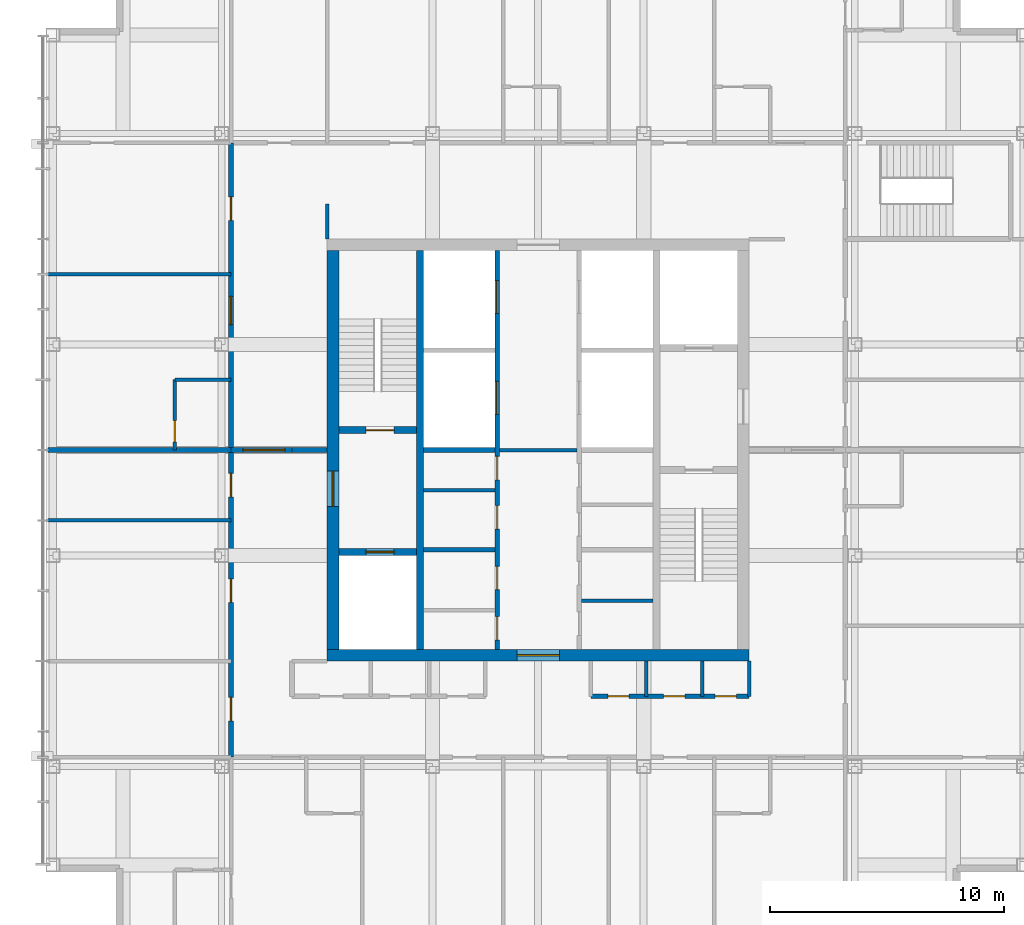
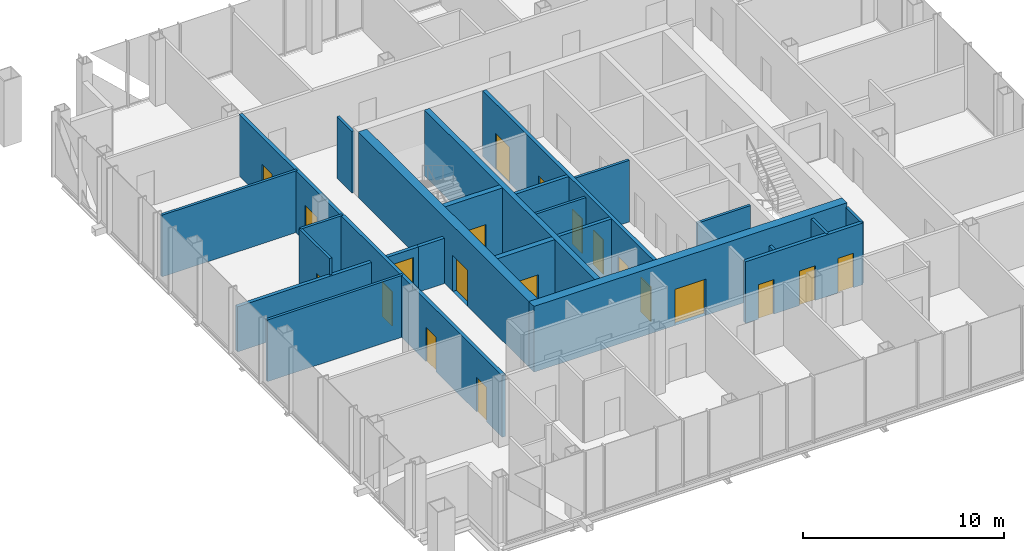
# One storey, part 8 of 11: 24 walls, 20 doors, 20 openings.
"""IFC4 building model written with IfcOpenShell, lengths in metres."""

from ifc_helpers import new_model, si_unit, direction, frame, frame_2d, origin, place, context, subcontext, project, spatial, rectangle, extrude, material, layer, layer_set, type_object, element, fill, save


model = new_model("IFC4")

# Units and contexts
model_context = context("Model", 3, precision=1e-05, world=origin(), true_north=direction((0.0, 1.0)))
body_context = subcontext(model_context, "Body", "Model", "MODEL_VIEW")
ifc_project = project(units=[si_unit("LENGTHUNIT", "METRE"), si_unit("AREAUNIT", "SQUARE_METRE"), si_unit("VOLUMEUNIT", "CUBIC_METRE"), si_unit("PLANEANGLEUNIT", "RADIAN"), si_unit("MASSUNIT", "GRAM", prefix="KILO")], contexts=[model_context])

# Site, building, storey
site_placement = place(None, origin())
site = spatial("IfcSite", under=ifc_project, at=site_placement, CompositionType="ELEMENT")
building_placement = place(site_placement, origin())
building = spatial("IfcBuilding", under=site, at=building_placement, Name="Malebo Sky Hospital", CompositionType="ELEMENT")
storey_placement = place(building_placement, frame((0.0, 0.0, 282.0)))
storey = spatial("IfcBuildingStorey", under=building, at=storey_placement, Name="L68", CompositionType="ELEMENT", Elevation=282.0)

# Wall, openings, doors
ifc_material_1 = material(Name="Concrete C80/95", Category="concrete")
ifc_layer_1 = layer(ifc_material_1, 0.199951171875)
ifc_layer_set_1 = layer_set([ifc_layer_1], Name="CORE INNER WALL 200")
wall_type_1 = type_object("IfcWallType", Name="CORE INNER WALL 200", PredefinedType="SHEAR", material=ifc_layer_set_1)
wall_1_placement = place(storey_placement, frame((58.25, 53.5, 0.0), z_axis=(0.0, 0.0, 1.0), x_axis=(0.0, 1.0, 0.0)))
wall_1 = element("IfcWall", 1, at=wall_1_placement, inside=storey, type_object=wall_type_1, Name="Core wall LW L68", PredefinedType="SHEAR", context=body_context, shape_type="SweptSolid", body=[
    extrude(rectangle(XDim=17.0, YDim=0.199951171875, at=frame_2d((8.5, 0.0))), origin(), (0.0, 0.0, 1.0), 4.0),
])
opening_1_placement = place(wall_1_placement, frame((0.392578125, 0.0, 0.0)))
opening_1 = element("IfcOpeningElement", 2, at=opening_1_placement, cuts=wall_1, Name="Opening D17", PredefinedType="OPENING", context=body_context, shape_type="SweptSolid", body=[
    extrude(rectangle(XDim=1.0, YDim=2.10009765625, at=frame_2d((0.5, 1.050048828125))), frame((0.0, 0.10986328125, 0.0), z_axis=(0.0, -1.0, 0.0), x_axis=(1.0, 0.0, 0.0)), (0.0, 0.0, 1.0), 0.219970703125),
])
opening_2_placement = place(wall_1_placement, frame((2.54248046875, 0.0, 0.0)))
opening_2 = element("IfcOpeningElement", 3, at=opening_2_placement, cuts=wall_1, Name="Opening D17", PredefinedType="OPENING", context=body_context, shape_type="SweptSolid", body=[
    extrude(rectangle(XDim=1.0, YDim=2.10009765625, at=frame_2d((0.5, 1.050048828125))), frame((0.0, 0.10986328125, 0.0), z_axis=(0.0, -1.0, 0.0), x_axis=(1.0, 0.0, 0.0)), (0.0, 0.0, 1.0), 0.219970703125),
])
opening_3_placement = place(wall_1_placement, frame((5.12744140625, 0.0, 0.0)))
opening_3 = element("IfcOpeningElement", 4, at=opening_3_placement, cuts=wall_1, Name="Opening D17", PredefinedType="OPENING", context=body_context, shape_type="SweptSolid", body=[
    extrude(rectangle(XDim=1.0, YDim=2.10009765625, at=frame_2d((0.5, 1.050048828125))), frame((0.0, 0.10986328125, 0.0), z_axis=(0.0, -1.0, 0.0), x_axis=(1.0, 0.0, 0.0)), (0.0, 0.0, 1.0), 0.219970703125),
])
opening_4_placement = place(wall_1_placement, frame((7.2275390625, 0.0, 0.0)))
opening_4 = element("IfcOpeningElement", 5, at=opening_4_placement, cuts=wall_1, Name="Opening D17", PredefinedType="OPENING", context=body_context, shape_type="SweptSolid", body=[
    extrude(rectangle(XDim=1.0, YDim=2.10009765625, at=frame_2d((0.5, 1.050048828125))), frame((0.0, 0.10986328125, 0.0), z_axis=(0.0, -1.0, 0.0), x_axis=(1.0, 0.0, 0.0)), (0.0, 0.0, 1.0), 0.219970703125),
])
opening_5_placement = place(wall_1_placement, frame((10.02490234375, 0.0, 0.0)))
opening_5 = element("IfcOpeningElement", 6, at=opening_5_placement, cuts=wall_1, Name="Opening LD1", PredefinedType="OPENING", context=body_context, shape_type="SweptSolid", body=[
    extrude(rectangle(XDim=1.39990234375, YDim=2.199951171875, at=frame_2d((0.699951171875, 1.10009765625))), frame((0.0, 0.10986328125, 0.0), z_axis=(0.0, -1.0, 0.0), x_axis=(1.0, 0.0, 0.0)), (0.0, 0.0, 1.0), 0.219970703125),
])
opening_6_placement = place(wall_1_placement, frame((14.324951171875, 0.0, 0.0)))
opening_6 = element("IfcOpeningElement", 7, at=opening_6_placement, cuts=wall_1, Name="Opening LD1", PredefinedType="OPENING", context=body_context, shape_type="SweptSolid", body=[
    extrude(rectangle(XDim=1.39990234375, YDim=2.199951171875, at=frame_2d((0.699951171875, 1.10009765625))), frame((0.0, 0.10986328125, 0.0), z_axis=(0.0, -1.0, 0.0), x_axis=(1.0, 0.0, 0.0)), (0.0, 0.0, 1.0), 0.219970703125),
])
ifc_material_2 = material(Name="Hardwood-faced door leaf in steel frame", Category="steel")
door_type_1 = type_object("IfcDoorType", Name="FIRE DOOR 1000", OperationType="SINGLE_SWING_LEFT", PredefinedType="DOOR", material=ifc_material_2)
door_1_placement = place(opening_1_placement, origin())
door_1 = element("IfcDoor", 8, at=door_1_placement, inside=storey, type_object=door_type_1, Name="Supplies store door", OperationType="SINGLE_SWING_RIGHT", OverallHeight=2.10009765625, OverallWidth=1.0, PredefinedType="DOOR", context=body_context, shape_type="SweptSolid", body=[
    extrude(rectangle(XDim=1.0, YDim=2.10009765625, at=frame_2d((0.5, 1.050048828125))), frame((0.0, 0.02490234375, 0.0), z_axis=(0.0, -1.0, 0.0), x_axis=(1.0, 0.0, 0.0)), (0.0, 0.0, 1.0), 0.050048828125),
])
fill(opening_1, door_1)
door_2_placement = place(opening_2_placement, origin())
door_2 = element("IfcDoor", 9, at=door_2_placement, inside=storey, type_object=door_type_1, Name="Mattress store door", OperationType="SINGLE_SWING_RIGHT", OverallHeight=2.10009765625, OverallWidth=1.0, PredefinedType="DOOR", context=body_context, shape_type="SweptSolid", body=[
    extrude(rectangle(XDim=1.0, YDim=2.10009765625, at=frame_2d((0.5, 1.050048828125))), frame((0.0, 0.02490234375, 0.0), z_axis=(0.0, -1.0, 0.0), x_axis=(1.0, 0.0, 0.0)), (0.0, 0.0, 1.0), 0.050048828125),
])
fill(opening_2, door_2)
door_3_placement = place(opening_3_placement, origin())
door_3 = element("IfcDoor", 10, at=door_3_placement, inside=storey, type_object=door_type_1, Name="Cleaning equipment store door", OperationType="SINGLE_SWING_RIGHT", OverallHeight=2.10009765625, OverallWidth=1.0, PredefinedType="DOOR", context=body_context, shape_type="SweptSolid", body=[
    extrude(rectangle(XDim=1.0, YDim=2.10009765625, at=frame_2d((0.5, 1.050048828125))), frame((0.0, 0.02490234375, 0.0), z_axis=(0.0, -1.0, 0.0), x_axis=(1.0, 0.0, 0.0)), (0.0, 0.0, 1.0), 0.050048828125),
])
fill(opening_3, door_3)
door_4_placement = place(opening_4_placement, origin())
door_4 = element("IfcDoor", 11, at=door_4_placement, inside=storey, type_object=door_type_1, Name="Archive store door", OperationType="SINGLE_SWING_RIGHT", OverallHeight=2.10009765625, OverallWidth=1.0, PredefinedType="DOOR", context=body_context, shape_type="SweptSolid", body=[
    extrude(rectangle(XDim=1.0, YDim=2.10009765625, at=frame_2d((0.5, 1.050048828125))), frame((0.0, 0.02490234375, 0.0), z_axis=(0.0, -1.0, 0.0), x_axis=(1.0, 0.0, 0.0)), (0.0, 0.0, 1.0), 0.050048828125),
])
fill(opening_4, door_4)
ifc_material_3 = material(Name="Stainless steel sliding landing door", Category="steel")
door_type_2 = type_object("IfcDoorType", Name="LIFT LANDING DOOR 1400", OperationType="SLIDING_TO_LEFT", PredefinedType="DOOR", material=ifc_material_3)
door_5_placement = place(opening_5_placement, origin())
door_5 = element("IfcDoor", 12, at=door_5_placement, inside=storey, type_object=door_type_2, Name="Lift W3 landing door", OperationType="SLIDING_TO_LEFT", OverallHeight=2.199951171875, OverallWidth=1.39990234375, PredefinedType="DOOR", context=body_context, shape_type="SweptSolid", body=[
    extrude(rectangle(XDim=1.39990234375, YDim=2.199951171875, at=frame_2d((0.699951171875, 1.10009765625))), frame((0.0, 0.02490234375, 0.0), z_axis=(0.0, -1.0, 0.0), x_axis=(1.0, 0.0, 0.0)), (0.0, 0.0, 1.0), 0.050048828125),
])
fill(opening_5, door_5)
door_6_placement = place(opening_6_placement, origin())
door_6 = element("IfcDoor", 13, at=door_6_placement, inside=storey, type_object=door_type_2, Name="Lift W4 landing door", OperationType="SLIDING_TO_LEFT", OverallHeight=2.199951171875, OverallWidth=1.39990234375, PredefinedType="DOOR", context=body_context, shape_type="SweptSolid", body=[
    extrude(rectangle(XDim=1.39990234375, YDim=2.199951171875, at=frame_2d((0.699951171875, 1.10009765625))), frame((0.0, 0.02490234375, 0.0), z_axis=(0.0, -1.0, 0.0), x_axis=(1.0, 0.0, 0.0)), (0.0, 0.0, 1.0), 0.050048828125),
])
fill(opening_6, door_6)

# Walls
for number, where, z_axis, x_axis, name in (
    (14, (55.10009765625, 57.75, 0.0), (0.0, 0.0, 1.0), (1.0, 0.0, 0.0), "Core wall SW0 L68"),
    (15, (55.10009765625, 62.0, 0.0), (0.0, 0.0, 1.0), (1.0, 0.0, 0.0), "Core wall SW1 L68"),
):
    element("IfcWall", number, at=place(storey_placement, frame(where, z_axis=z_axis, x_axis=x_axis)), inside=storey, type_object=wall_type_1, Name=name, PredefinedType="SHEAR", context=body_context, shape_type="SweptSolid", body=[
        extrude(rectangle(XDim=3.0498046875, YDim=0.199951171875, at=frame_2d((1.52490234375, 0.0))), origin(), (0.0, 0.0, 1.0), 4.0),
    ])
ifc_layer_2 = layer(ifc_material_1, 0.300048828125)
ifc_layer_set_2 = layer_set([ifc_layer_2], Name="CORE INNER WALL 300")
wall_type_2 = type_object("IfcWallType", Name="CORE INNER WALL 300", PredefinedType="SHEAR", material=ifc_layer_set_2)
wall_2_placement = place(storey_placement, frame((54.949951171875, 53.5, 0.0), z_axis=(0.0, 0.0, 1.0), x_axis=(0.0, 1.0, 0.0)))
element("IfcWall", 16, at=wall_2_placement, inside=storey, type_object=wall_type_2, Name="Core wall XW L68", PredefinedType="SHEAR", context=body_context, shape_type="SweptSolid", body=[
    extrude(rectangle(XDim=17.0, YDim=0.300048828125, at=frame_2d((8.5, 0.0))), origin(), (0.0, 0.0, 1.0), 4.0),
])

# Wall, opening, door
wall_3_placement = place(storey_placement, frame((51.5, 62.85009765625, 0.0), z_axis=(0.0, 0.0, 1.0), x_axis=(1.0, 0.0, 0.0)))
wall_3 = element("IfcWall", 17, at=wall_3_placement, inside=storey, type_object=wall_type_2, Name="Core wall W1 L68", PredefinedType="SHEAR", context=body_context, shape_type="SweptSolid", body=[
    extrude(rectangle(XDim=3.300048828125, YDim=0.300048828125, at=frame_2d((1.64990234375, 0.0))), origin(), (0.0, 0.0, 1.0), 4.0),
])
opening_7_placement = place(wall_3_placement, frame((1.14990234375, 0.0, 0.0)))
opening_7 = element("IfcOpeningElement", 18, at=opening_7_placement, cuts=wall_3, Name="Opening D08", PredefinedType="OPENING", context=body_context, shape_type="SweptSolid", body=[
    extrude(rectangle(XDim=1.199951171875, YDim=2.10009765625, at=frame_2d((0.60009765625, 1.050048828125))), frame((0.0, 0.159912109375, 0.0), z_axis=(0.0, -1.0, 0.0), x_axis=(1.0, 0.0, 0.0)), (0.0, 0.0, 1.0), 0.320068359375),
])
door_type_3 = type_object("IfcDoorType", Name="STAIR DOOR 1200", OperationType="SINGLE_SWING_LEFT", PredefinedType="DOOR", material=ifc_material_2)
door_7_placement = place(opening_7_placement, origin())
door_7 = element("IfcDoor", 19, at=door_7_placement, inside=storey, type_object=door_type_3, Name="Stair S1 door", OperationType="SINGLE_SWING_RIGHT", OverallHeight=2.10009765625, OverallWidth=1.199951171875, PredefinedType="DOOR", context=body_context, shape_type="SweptSolid", body=[
    extrude(rectangle(XDim=1.199951171875, YDim=2.10009765625, at=frame_2d((0.60009765625, 1.050048828125))), frame((0.0, 0.02490234375, 0.0), z_axis=(0.0, -1.0, 0.0), x_axis=(1.0, 0.0, 0.0)), (0.0, 0.0, 1.0), 0.050048828125),
])
fill(opening_7, door_7)

wall_4_placement = place(storey_placement, frame((51.5, 57.64990234375, 0.0), z_axis=(0.0, 0.0, 1.0), x_axis=(1.0, 0.0, 0.0)))
wall_4 = element("IfcWall", 20, at=wall_4_placement, inside=storey, type_object=wall_type_2, Name="Core wall W2 L68", PredefinedType="SHEAR", context=body_context, shape_type="SweptSolid", body=[
    extrude(rectangle(XDim=3.300048828125, YDim=0.300048828125, at=frame_2d((1.64990234375, 0.0))), origin(), (0.0, 0.0, 1.0), 4.0),
])
opening_8_placement = place(wall_4_placement, frame((1.14990234375, 0.0, 0.0)))
opening_8 = element("IfcOpeningElement", 21, at=opening_8_placement, cuts=wall_4, Name="Opening LD2", PredefinedType="OPENING", context=body_context, shape_type="SweptSolid", body=[
    extrude(rectangle(XDim=1.199951171875, YDim=2.199951171875, at=frame_2d((0.60009765625, 1.10009765625))), frame((0.0, 0.159912109375, 0.0), z_axis=(0.0, -1.0, 0.0), x_axis=(1.0, 0.0, 0.0)), (0.0, 0.0, 1.0), 0.320068359375),
])
door_type_4 = type_object("IfcDoorType", Name="FIRE-FIGHTING LIFT LANDING DOOR 1200", OperationType="SLIDING_TO_LEFT", PredefinedType="DOOR", material=ifc_material_3)
door_8_placement = place(opening_8_placement, origin())
door_8 = element("IfcDoor", 22, at=door_8_placement, inside=storey, type_object=door_type_4, Name="Lift FL1 landing door", OperationType="SLIDING_TO_LEFT", OverallHeight=2.199951171875, OverallWidth=1.199951171875, PredefinedType="DOOR", context=body_context, shape_type="SweptSolid", body=[
    extrude(rectangle(XDim=1.199951171875, YDim=2.199951171875, at=frame_2d((0.60009765625, 1.10009765625))), frame((0.0, 0.02490234375, 0.0), z_axis=(0.0, -1.0, 0.0), x_axis=(1.0, 0.0, 0.0)), (0.0, 0.0, 1.0), 0.050048828125),
])
fill(opening_8, door_8)

ifc_layer_3 = layer(ifc_material_1, 0.5)
ifc_layer_set_3 = layer_set([ifc_layer_3], Name="CORE WALL 500")
wall_type_3 = type_object("IfcWallType", Name="CORE WALL 500", PredefinedType="SHEAR", material=ifc_layer_set_3)
wall_5_placement = place(storey_placement, frame((51.0, 53.25, 0.0), z_axis=(0.0, 0.0, 1.0), x_axis=(1.0, 0.0, 0.0)))
wall_5 = element("IfcWall", 23, at=wall_5_placement, inside=storey, type_object=wall_type_3, Name="Core wall S L68", PredefinedType="SHEAR", context=body_context, shape_type="SweptSolid", body=[
    extrude(rectangle(XDim=18.0, YDim=0.5, at=frame_2d((9.0, 0.0))), origin(), (0.0, 0.0, 1.0), 4.0),
])
opening_9_placement = place(wall_5_placement, frame((8.10009765625, 0.0, 0.0)))
opening_9 = element("IfcOpeningElement", 24, at=opening_9_placement, cuts=wall_5, Name="Opening D06", PredefinedType="OPENING", context=body_context, shape_type="SweptSolid", body=[
    extrude(rectangle(XDim=1.800048828125, YDim=2.199951171875, at=frame_2d((0.89990234375, 1.10009765625))), frame((0.0, 0.260009765625, 0.0), z_axis=(0.0, -1.0, 0.0), x_axis=(1.0, 0.0, 0.0)), (0.0, 0.0, 1.0), 0.52001953125),
])
door_type_5 = type_object("IfcDoorType", Name="LOBBY DOOR PAIR 1800", OperationType="DOUBLE_DOOR_SINGLE_SWING", PredefinedType="DOOR", material=ifc_material_2)
door_9_placement = place(opening_9_placement, origin())
door_9 = element("IfcDoor", 25, at=door_9_placement, inside=storey, type_object=door_type_5, Name="Service lobby door south", OperationType="DOUBLE_DOOR_SINGLE_SWING", OverallHeight=2.199951171875, OverallWidth=1.800048828125, PredefinedType="DOOR", context=body_context, shape_type="SweptSolid", body=[
    extrude(rectangle(XDim=1.800048828125, YDim=2.199951171875, at=frame_2d((0.89990234375, 1.10009765625))), frame((0.0, 0.02490234375, 0.0), z_axis=(0.0, -1.0, 0.0), x_axis=(1.0, 0.0, 0.0)), (0.0, 0.0, 1.0), 0.050048828125),
])
fill(opening_9, door_9)

wall_6_placement = place(storey_placement, frame((51.25, 53.5, 0.0), z_axis=(0.0, 0.0, 1.0), x_axis=(0.0, 1.0, 0.0)))
wall_6 = element("IfcWall", 26, at=wall_6_placement, inside=storey, type_object=wall_type_3, Name="Core wall W L68", PredefinedType="SHEAR", context=body_context, shape_type="SweptSolid", body=[
    extrude(rectangle(XDim=17.0, YDim=0.5, at=frame_2d((8.5, 0.0))), origin(), (0.0, 0.0, 1.0), 4.0),
])
opening_10_placement = place(wall_6_placement, frame((6.10009765625, 0.0, 0.0)))
opening_10 = element("IfcOpeningElement", 27, at=opening_10_placement, cuts=wall_6, Name="Opening D07", PredefinedType="OPENING", context=body_context, shape_type="SweptSolid", body=[
    extrude(rectangle(XDim=1.5, YDim=2.199951171875, at=frame_2d((0.75, 1.10009765625))), frame((0.0, 0.260009765625, 0.0), z_axis=(0.0, -1.0, 0.0), x_axis=(1.0, 0.0, 0.0)), (0.0, 0.0, 1.0), 0.52001953125),
])
door_type_6 = type_object("IfcDoorType", Name="FIRE-FIGHTING LOBBY DOOR PAIR 1500", OperationType="DOUBLE_DOOR_SINGLE_SWING", PredefinedType="DOOR", material=ifc_material_2)
door_10_placement = place(opening_10_placement, origin())
door_10 = element("IfcDoor", 28, at=door_10_placement, inside=storey, type_object=door_type_6, Name="Fire-fighting lobby door west", OperationType="DOUBLE_DOOR_SINGLE_SWING", OverallHeight=2.199951171875, OverallWidth=1.5, PredefinedType="DOOR", context=body_context, shape_type="SweptSolid", body=[
    extrude(rectangle(XDim=1.5, YDim=2.199951171875, at=frame_2d((0.75, 1.10009765625))), frame((0.0, 0.02490234375, 0.0), z_axis=(0.0, -1.0, 0.0), x_axis=(1.0, 0.0, 0.0)), (0.0, 0.0, 1.0), 0.050048828125),
])
fill(opening_10, door_10)

# Wall, openings, doors
ifc_material_4 = material(Name="Gypsum board on steel studs", Category="steel")
ifc_layer_4 = layer(ifc_material_4, 0.199951171875)
ifc_layer_set_4 = layer_set([ifc_layer_4], Name="CORRIDOR WALL 200")
wall_type_4 = type_object("IfcWallType", Name="CORRIDOR WALL 200", PredefinedType="PARTITIONING", material=ifc_layer_set_4)
wall_7_placement = place(storey_placement, frame((46.89990234375, 48.89990234375, 0.0), z_axis=(0.0, 0.0, 1.0), x_axis=(0.0, 1.0, 0.0)))
wall_7 = element("IfcWall", 29, at=wall_7_placement, inside=storey, type_object=wall_type_4, Name="Corridor Wall 200 WCO", PredefinedType="PARTITIONING", context=body_context, shape_type="SweptSolid", body=[
    extrude(rectangle(XDim=26.2001953125, YDim=0.199951171875, at=frame_2d((13.10009765625, 0.0))), origin(), (0.0, 0.0, 1.0), 3.75),
])
opening_11_placement = place(wall_7_placement, frame((1.550048828125, 0.0, 0.0)))
opening_11 = element("IfcOpeningElement", 30, at=opening_11_placement, cuts=wall_7, Name="Opening D03", PredefinedType="OPENING", context=body_context, shape_type="SweptSolid", body=[
    extrude(rectangle(XDim=1.0, YDim=2.10009765625, at=frame_2d((0.5, 1.050048828125))), frame((0.0, 0.10986328125, 0.0), z_axis=(0.0, -1.0, 0.0), x_axis=(1.0, 0.0, 0.0)), (0.0, 0.0, 1.0), 0.219970703125),
])
opening_12_placement = place(wall_7_placement, frame((6.60009765625, 0.0, 0.0)))
opening_12 = element("IfcOpeningElement", 31, at=opening_12_placement, cuts=wall_7, Name="Opening D03", PredefinedType="OPENING", context=body_context, shape_type="SweptSolid", body=[
    extrude(rectangle(XDim=1.0, YDim=2.10009765625, at=frame_2d((0.5, 1.050048828125))), frame((0.0, 0.10986328125, 0.0), z_axis=(0.0, -1.0, 0.0), x_axis=(1.0, 0.0, 0.0)), (0.0, 0.0, 1.0), 0.219970703125),
])
opening_13_placement = place(wall_7_placement, frame((11.10009765625, 0.0, 0.0)))
opening_13 = element("IfcOpeningElement", 32, at=opening_13_placement, cuts=wall_7, Name="Opening D03", PredefinedType="OPENING", context=body_context, shape_type="SweptSolid", body=[
    extrude(rectangle(XDim=1.0, YDim=2.10009765625, at=frame_2d((0.5, 1.050048828125))), frame((0.0, 0.10986328125, 0.0), z_axis=(0.0, -1.0, 0.0), x_axis=(1.0, 0.0, 0.0)), (0.0, 0.0, 1.0), 0.219970703125),
])
opening_14_placement = place(wall_7_placement, frame((18.449951171875, 0.0, 0.0)))
opening_14 = element("IfcOpeningElement", 33, at=opening_14_placement, cuts=wall_7, Name="Opening D01", PredefinedType="OPENING", context=body_context, shape_type="SweptSolid", body=[
    extrude(rectangle(XDim=1.199951171875, YDim=2.199951171875, at=frame_2d((0.60009765625, 1.10009765625))), frame((0.0, 0.10986328125, 0.0), z_axis=(0.0, -1.0, 0.0), x_axis=(1.0, 0.0, 0.0)), (0.0, 0.0, 1.0), 0.219970703125),
])
opening_15_placement = place(wall_7_placement, frame((22.89990234375, 0.0, 0.0)))
opening_15 = element("IfcOpeningElement", 34, at=opening_15_placement, cuts=wall_7, Name="Opening D03", PredefinedType="OPENING", context=body_context, shape_type="SweptSolid", body=[
    extrude(rectangle(XDim=1.0, YDim=2.10009765625, at=frame_2d((0.5, 1.050048828125))), frame((0.0, 0.10986328125, 0.0), z_axis=(0.0, -1.0, 0.0), x_axis=(1.0, 0.0, 0.0)), (0.0, 0.0, 1.0), 0.219970703125),
])
door_type_7 = type_object("IfcDoorType", Name="BED DOOR 1200", OperationType="SINGLE_SWING_LEFT", PredefinedType="DOOR", material=ifc_material_2)
door_11_placement = place(opening_14_placement, origin())
door_11 = element("IfcDoor", 35, at=door_11_placement, inside=storey, type_object=door_type_7, Name="Family suite door", OperationType="SINGLE_SWING_RIGHT", OverallHeight=2.199951171875, OverallWidth=1.199951171875, PredefinedType="DOOR", context=body_context, shape_type="SweptSolid", body=[
    extrude(rectangle(XDim=1.199951171875, YDim=2.199951171875, at=frame_2d((0.60009765625, 1.10009765625))), frame((0.0, 0.02490234375, 0.0), z_axis=(0.0, -1.0, 0.0), x_axis=(1.0, 0.0, 0.0)), (0.0, 0.0, 1.0), 0.050048828125),
])
fill(opening_14, door_11)
door_type_8 = type_object("IfcDoorType", Name="ROOM DOOR 1000", OperationType="SINGLE_SWING_LEFT", PredefinedType="DOOR", material=ifc_material_2)
door_12_placement = place(opening_11_placement, origin())
door_12 = element("IfcDoor", 36, at=door_12_placement, inside=storey, type_object=door_type_8, Name="Clean utility room door", OperationType="SINGLE_SWING_LEFT", OverallHeight=2.10009765625, OverallWidth=1.0, PredefinedType="DOOR", context=body_context, shape_type="SweptSolid", body=[
    extrude(rectangle(XDim=1.0, YDim=2.10009765625, at=frame_2d((0.5, 1.050048828125))), frame((0.0, 0.02490234375, 0.0), z_axis=(0.0, -1.0, 0.0), x_axis=(1.0, 0.0, 0.0)), (0.0, 0.0, 1.0), 0.050048828125),
])
fill(opening_11, door_12)
door_13_placement = place(opening_12_placement, origin())
door_13 = element("IfcDoor", 37, at=door_13_placement, inside=storey, type_object=door_type_8, Name="Relatives' overnight room door", OperationType="SINGLE_SWING_LEFT", OverallHeight=2.10009765625, OverallWidth=1.0, PredefinedType="DOOR", context=body_context, shape_type="SweptSolid", body=[
    extrude(rectangle(XDim=1.0, YDim=2.10009765625, at=frame_2d((0.5, 1.050048828125))), frame((0.0, 0.02490234375, 0.0), z_axis=(0.0, -1.0, 0.0), x_axis=(1.0, 0.0, 0.0)), (0.0, 0.0, 1.0), 0.050048828125),
])
fill(opening_12, door_13)
door_14_placement = place(opening_13_placement, origin())
door_14 = element("IfcDoor", 38, at=door_14_placement, inside=storey, type_object=door_type_8, Name="Medication room door", OperationType="SINGLE_SWING_RIGHT", OverallHeight=2.10009765625, OverallWidth=1.0, PredefinedType="DOOR", context=body_context, shape_type="SweptSolid", body=[
    extrude(rectangle(XDim=1.0, YDim=2.10009765625, at=frame_2d((0.5, 1.050048828125))), frame((0.0, 0.02490234375, 0.0), z_axis=(0.0, -1.0, 0.0), x_axis=(1.0, 0.0, 0.0)), (0.0, 0.0, 1.0), 0.050048828125),
])
fill(opening_13, door_14)
door_15_placement = place(opening_15_placement, origin())
door_15 = element("IfcDoor", 39, at=door_15_placement, inside=storey, type_object=door_type_8, Name="Family room door", OperationType="SINGLE_SWING_RIGHT", OverallHeight=2.10009765625, OverallWidth=1.0, PredefinedType="DOOR", context=body_context, shape_type="SweptSolid", body=[
    extrude(rectangle(XDim=1.0, YDim=2.10009765625, at=frame_2d((0.5, 1.050048828125))), frame((0.0, 0.02490234375, 0.0), z_axis=(0.0, -1.0, 0.0), x_axis=(1.0, 0.0, 0.0)), (0.0, 0.0, 1.0), 0.050048828125),
])
fill(opening_15, door_15)

wall_8_placement = place(storey_placement, frame((69.0, 51.5, 0.0), z_axis=(0.0, 0.0, 1.0), x_axis=(-1.0, 0.0, 0.0)))
wall_8 = element("IfcWall", 40, at=wall_8_placement, inside=storey, type_object=wall_type_4, Name="Corridor Wall 200 SCI1", PredefinedType="PARTITIONING", context=body_context, shape_type="SweptSolid", body=[
    extrude(rectangle(XDim=6.75, YDim=0.199951171875, at=frame_2d((3.375, 0.0))), origin(), (0.0, 0.0, 1.0), 3.75),
])
opening_16_placement = place(wall_8_placement, frame((0.550048828125, 0.0, 0.0)))
opening_16 = element("IfcOpeningElement", 41, at=opening_16_placement, cuts=wall_8, Name="Opening D04", PredefinedType="OPENING", context=body_context, shape_type="SweptSolid", body=[
    extrude(rectangle(XDim=0.89990234375, YDim=2.10009765625, at=frame_2d((0.449951171875, 1.050048828125))), frame((0.0, 0.10986328125, 0.0), z_axis=(0.0, -1.0, 0.0), x_axis=(1.0, 0.0, 0.0)), (0.0, 0.0, 1.0), 0.219970703125),
])
opening_17_placement = place(wall_8_placement, frame((2.75, 0.0, 0.0)))
opening_17 = element("IfcOpeningElement", 42, at=opening_17_placement, cuts=wall_8, Name="Opening D04", PredefinedType="OPENING", context=body_context, shape_type="SweptSolid", body=[
    extrude(rectangle(XDim=0.89990234375, YDim=2.10009765625, at=frame_2d((0.449951171875, 1.050048828125))), frame((0.0, 0.10986328125, 0.0), z_axis=(0.0, -1.0, 0.0), x_axis=(1.0, 0.0, 0.0)), (0.0, 0.0, 1.0), 0.219970703125),
])
opening_18_placement = place(wall_8_placement, frame((5.125, 0.0, 0.0)))
opening_18 = element("IfcOpeningElement", 43, at=opening_18_placement, cuts=wall_8, Name="Opening D04", PredefinedType="OPENING", context=body_context, shape_type="SweptSolid", body=[
    extrude(rectangle(XDim=0.89990234375, YDim=2.10009765625, at=frame_2d((0.449951171875, 1.050048828125))), frame((0.0, 0.10986328125, 0.0), z_axis=(0.0, -1.0, 0.0), x_axis=(1.0, 0.0, 0.0)), (0.0, 0.0, 1.0), 0.219970703125),
])
door_type_9 = type_object("IfcDoorType", Name="ROOM DOOR 900", OperationType="SINGLE_SWING_LEFT", PredefinedType="DOOR", material=ifc_material_2)
door_16_placement = place(opening_16_placement, origin())
door_16 = element("IfcDoor", 44, at=door_16_placement, inside=storey, type_object=door_type_9, Name="Staff WC door", OperationType="SINGLE_SWING_LEFT", OverallHeight=2.10009765625, OverallWidth=0.89990234375, PredefinedType="DOOR", context=body_context, shape_type="SweptSolid", body=[
    extrude(rectangle(XDim=0.89990234375, YDim=2.10009765625, at=frame_2d((0.449951171875, 1.050048828125))), frame((0.0, 0.02490234375, 0.0), z_axis=(0.0, -1.0, 0.0), x_axis=(1.0, 0.0, 0.0)), (0.0, 0.0, 1.0), 0.050048828125),
])
fill(opening_16, door_16)
door_17_placement = place(opening_17_placement, origin())
door_17 = element("IfcDoor", 45, at=door_17_placement, inside=storey, type_object=door_type_9, Name="Cleaner's room door", OperationType="SINGLE_SWING_LEFT", OverallHeight=2.10009765625, OverallWidth=0.89990234375, PredefinedType="DOOR", context=body_context, shape_type="SweptSolid", body=[
    extrude(rectangle(XDim=0.89990234375, YDim=2.10009765625, at=frame_2d((0.449951171875, 1.050048828125))), frame((0.0, 0.02490234375, 0.0), z_axis=(0.0, -1.0, 0.0), x_axis=(1.0, 0.0, 0.0)), (0.0, 0.0, 1.0), 0.050048828125),
])
fill(opening_17, door_17)
door_18_placement = place(opening_18_placement, origin())
door_18 = element("IfcDoor", 46, at=door_18_placement, inside=storey, type_object=door_type_9, Name="Linen store door", OperationType="SINGLE_SWING_LEFT", OverallHeight=2.10009765625, OverallWidth=0.89990234375, PredefinedType="DOOR", context=body_context, shape_type="SweptSolid", body=[
    extrude(rectangle(XDim=0.89990234375, YDim=2.10009765625, at=frame_2d((0.449951171875, 1.050048828125))), frame((0.0, 0.02490234375, 0.0), z_axis=(0.0, -1.0, 0.0), x_axis=(1.0, 0.0, 0.0)), (0.0, 0.0, 1.0), 0.050048828125),
])
fill(opening_18, door_18)

# Walls
ifc_layer_5 = layer(ifc_material_4, 0.14990234375)
ifc_layer_set_5 = layer_set([ifc_layer_5], Name="PARTITION 150")
wall_type_5 = type_object("IfcWallType", Name="PARTITION 150", PredefinedType="PARTITIONING", material=ifc_layer_set_5)
wall_9_placement = place(storey_placement, frame((51.0, 71.0, 0.0), z_axis=(0.0, 0.0, 1.0), x_axis=(0.0, 1.0, 0.0)))
element("IfcWall", 47, at=wall_9_placement, inside=storey, type_object=wall_type_5, Name="Partition 150 NSP0", PredefinedType="PARTITIONING", context=body_context, shape_type="SweptSolid", body=[
    extrude(rectangle(XDim=1.5, YDim=0.14990234375, at=frame_2d((0.75, 0.0))), origin(), (0.0, 0.0, 1.0), 3.75),
])
for number, where, z_axis, x_axis, name in (
    (48, (46.89990234375, 59.0, 0.0), (0.0, 0.0, 1.0), (-1.0, 0.0, 0.0), "Partition 150 WP-3.0"),
    (49, (46.89990234375, 69.5, 0.0), (0.0, 0.0, 1.0), (-1.0, 0.0, 0.0), "Partition 150 WP+7.5"),
):
    element("IfcWall", number, at=place(storey_placement, frame(where, z_axis=z_axis, x_axis=x_axis)), inside=storey, type_object=wall_type_5, Name=name, PredefinedType="PARTITIONING", context=body_context, shape_type="SweptSolid", body=[
        extrude(rectangle(XDim=7.7998046875, YDim=0.14990234375, at=frame_2d((3.89990234375, 0.0))), origin(), (0.0, 0.0, 1.0), 3.75),
    ])

# Wall, opening, door
wall_10_placement = place(storey_placement, frame((44.5, 62.0, 0.0), z_axis=(0.0, 0.0, 1.0), x_axis=(0.0, 1.0, 0.0)))
wall_10 = element("IfcWall", 50, at=wall_10_placement, inside=storey, type_object=wall_type_5, Name="Partition 150 WE3F", PredefinedType="PARTITIONING", context=body_context, shape_type="SweptSolid", body=[
    extrude(rectangle(XDim=3.0, YDim=0.14990234375, at=frame_2d((1.5, 0.0))), origin(), (0.0, 0.0, 1.0), 3.75),
])
opening_19_placement = place(wall_10_placement, frame((0.35009765625, 0.0, 0.0)))
opening_19 = element("IfcOpeningElement", 51, at=opening_19_placement, cuts=wall_10, Name="Opening D02", PredefinedType="OPENING", context=body_context, shape_type="SweptSolid", body=[
    extrude(rectangle(XDim=0.89990234375, YDim=2.10009765625, at=frame_2d((0.449951171875, 1.050048828125))), frame((0.0, 0.0849609375, 0.0), z_axis=(0.0, -1.0, 0.0), x_axis=(1.0, 0.0, 0.0)), (0.0, 0.0, 1.0), 0.169921875),
])
door_type_10 = type_object("IfcDoorType", Name="EN-SUITE DOOR 900", OperationType="SINGLE_SWING_LEFT", PredefinedType="DOOR", material=ifc_material_2)
door_19_placement = place(opening_19_placement, origin())
door_19 = element("IfcDoor", 52, at=door_19_placement, inside=storey, type_object=door_type_10, Name="En-suite door", OperationType="SINGLE_SWING_LEFT", OverallHeight=2.10009765625, OverallWidth=0.89990234375, PredefinedType="DOOR", context=body_context, shape_type="SweptSolid", body=[
    extrude(rectangle(XDim=0.89990234375, YDim=2.10009765625, at=frame_2d((0.449951171875, 1.050048828125))), frame((0.0, 0.02490234375, 0.0), z_axis=(0.0, -1.0, 0.0), x_axis=(1.0, 0.0, 0.0)), (0.0, 0.0, 1.0), 0.050048828125),
])
fill(opening_19, door_19)

# Walls
wall_11_placement = place(storey_placement, frame((46.89990234375, 65.0, 0.0), z_axis=(0.0, 0.0, 1.0), x_axis=(-1.0, 0.0, 0.0)))
element("IfcWall", 53, at=wall_11_placement, inside=storey, type_object=wall_type_5, Name="Partition 150 WE3S", PredefinedType="PARTITIONING", context=body_context, shape_type="SweptSolid", body=[
    extrude(rectangle(XDim=2.39990234375, YDim=0.14990234375, at=frame_2d((1.199951171875, 0.0))), origin(), (0.0, 0.0, 1.0), 3.75),
])
for number, where, z_axis, x_axis, name in (
    (54, (69.0, 53.0, 0.0), (0.0, 0.0, 1.0), (0.0, -1.0, 0.0), "Partition 150 SSP0"),
    (55, (67.0, 53.0, 0.0), (0.0, 0.0, 1.0), (0.0, -1.0, 0.0), "Partition 150 SSP-7.0"),
):
    element("IfcWall", number, at=place(storey_placement, frame(where, z_axis=z_axis, x_axis=x_axis)), inside=storey, type_object=wall_type_5, Name=name, PredefinedType="PARTITIONING", context=body_context, shape_type="SweptSolid", body=[
        extrude(rectangle(XDim=1.5, YDim=0.14990234375, at=frame_2d((0.75, 0.0))), origin(), (0.0, 0.0, 1.0), 3.75),
    ])
wall_12_placement = place(storey_placement, frame((64.60009765625, 53.0, 0.0), z_axis=(0.0, 0.0, 1.0), x_axis=(0.0, -1.0, 0.0)))
element("IfcWall", 56, at=wall_12_placement, inside=storey, type_object=wall_type_5, Name="Partition 150 SSP-4.6", PredefinedType="PARTITIONING", context=body_context, shape_type="SweptSolid", body=[
    extrude(rectangle(XDim=1.5, YDim=0.14990234375, at=frame_2d((0.75, 0.0))), origin(), (0.0, 0.0, 1.0), 2.949951171875),
])
for number, where, z_axis, x_axis, name in (
    (57, (61.85009765625, 55.574951171875, 0.0), (0.0, 0.0, 1.0), (1.0, 0.0, 0.0), "Partition 150 SHE1"),
    (58, (55.10009765625, 60.280029296875, 0.0), (0.0, 0.0, 1.0), (1.0, 0.0, 0.0), "Partition 150 SHW2"),
):
    element("IfcWall", number, at=place(storey_placement, frame(where, z_axis=z_axis, x_axis=x_axis)), inside=storey, type_object=wall_type_5, Name=name, PredefinedType="PARTITIONING", context=body_context, shape_type="SweptSolid", body=[
        extrude(rectangle(XDim=3.0498046875, YDim=0.14990234375, at=frame_2d((1.52490234375, 0.0))), origin(), (0.0, 0.0, 1.0), 3.75),
    ])
wall_13_placement = place(storey_placement, frame((58.35009765625, 62.0, 0.0), z_axis=(0.0, 0.0, 1.0), x_axis=(1.0, 0.0, 0.0)))
element("IfcWall", 59, at=wall_13_placement, inside=storey, type_object=wall_type_5, Name="Partition 150 LBS", PredefinedType="PARTITIONING", context=body_context, shape_type="SweptSolid", body=[
    extrude(rectangle(XDim=3.2998046875, YDim=0.14990234375, at=frame_2d((1.64990234375, 0.0))), origin(), (0.0, 0.0, 1.0), 3.75),
])
ifc_material_5 = material(Name="Concrete blockwork", Category="masonry")
ifc_layer_6 = layer(ifc_material_5, 0.199951171875)
ifc_layer_set_6 = layer_set([ifc_layer_6], Name="SMOKE BARRIER WALL 200")
wall_type_6 = type_object("IfcWallType", Name="SMOKE BARRIER WALL 200", PredefinedType="SOLIDWALL", material=ifc_layer_set_6)
wall_14_placement = place(storey_placement, frame((46.89990234375, 62.0, 0.0), z_axis=(0.0, 0.0, 1.0), x_axis=(-1.0, 0.0, 0.0)))
element("IfcWall", 60, at=wall_14_placement, inside=storey, type_object=wall_type_6, Name="Smoke Barrier Wall 200 WP+0.0", PredefinedType="SOLIDWALL", context=body_context, shape_type="SweptSolid", body=[
    extrude(rectangle(XDim=7.7998046875, YDim=0.199951171875, at=frame_2d((3.89990234375, 0.0))), origin(), (0.0, 0.0, 1.0), 2.75),
])
wall_15_placement = place(storey_placement, frame((51.0, 62.0, 0.0), z_axis=(0.0, 0.0, 1.0), x_axis=(-1.0, 0.0, 0.0)))
element("IfcWall", 61, at=wall_15_placement, inside=storey, type_object=wall_type_6, Name="Smoke Barrier Wall 200 WSPB", PredefinedType="SOLIDWALL", context=body_context, shape_type="SweptSolid", body=[
    extrude(rectangle(XDim=1.5, YDim=0.199951171875, at=frame_2d((0.75, 0.0))), origin(), (0.0, 0.0, 1.0), 2.75),
])

# Wall, opening, door
wall_16_placement = place(storey_placement, frame((49.5, 62.0, 0.0), z_axis=(0.0, 0.0, 1.0), x_axis=(-1.0, 0.0, 0.0)))
wall_16 = element("IfcWall", 62, at=wall_16_placement, inside=storey, type_object=wall_type_6, Name="Smoke Barrier Wall 200 WSB", PredefinedType="SOLIDWALL", context=body_context, shape_type="SweptSolid", body=[
    extrude(rectangle(XDim=2.60009765625, YDim=0.199951171875, at=frame_2d((1.300048828125, 0.0))), origin(), (0.0, 0.0, 1.0), 2.75),
])
opening_20_placement = place(wall_16_placement, frame((0.300048828125, 0.0, 0.0)))
opening_20 = element("IfcOpeningElement", 63, at=opening_20_placement, cuts=wall_16, Name="Opening D05", PredefinedType="OPENING", context=body_context, shape_type="SweptSolid", body=[
    extrude(rectangle(XDim=1.800048828125, YDim=2.199951171875, at=frame_2d((0.89990234375, 1.10009765625))), frame((0.0, 0.10986328125, 0.0), z_axis=(0.0, -1.0, 0.0), x_axis=(1.0, 0.0, 0.0)), (0.0, 0.0, 1.0), 0.219970703125),
])
door_type_11 = type_object("IfcDoorType", Name="SMOKE DOOR PAIR 1800", OperationType="DOUBLE_DOOR_DOUBLE_SWING", PredefinedType="DOOR", material=ifc_material_2)
door_20_placement = place(opening_20_placement, origin())
door_20 = element("IfcDoor", 64, at=door_20_placement, inside=storey, type_object=door_type_11, Name="Smoke compartment door pair", OperationType="DOUBLE_DOOR_DOUBLE_SWING", OverallHeight=2.199951171875, OverallWidth=1.800048828125, PredefinedType="DOOR", context=body_context, shape_type="SweptSolid", body=[
    extrude(rectangle(XDim=1.800048828125, YDim=2.199951171875, at=frame_2d((0.89990234375, 1.10009765625))), frame((0.0, 0.02490234375, 0.0), z_axis=(0.0, -1.0, 0.0), x_axis=(1.0, 0.0, 0.0)), (0.0, 0.0, 1.0), 0.050048828125),
])
fill(opening_20, door_20)

save(model, "model.ifc")
